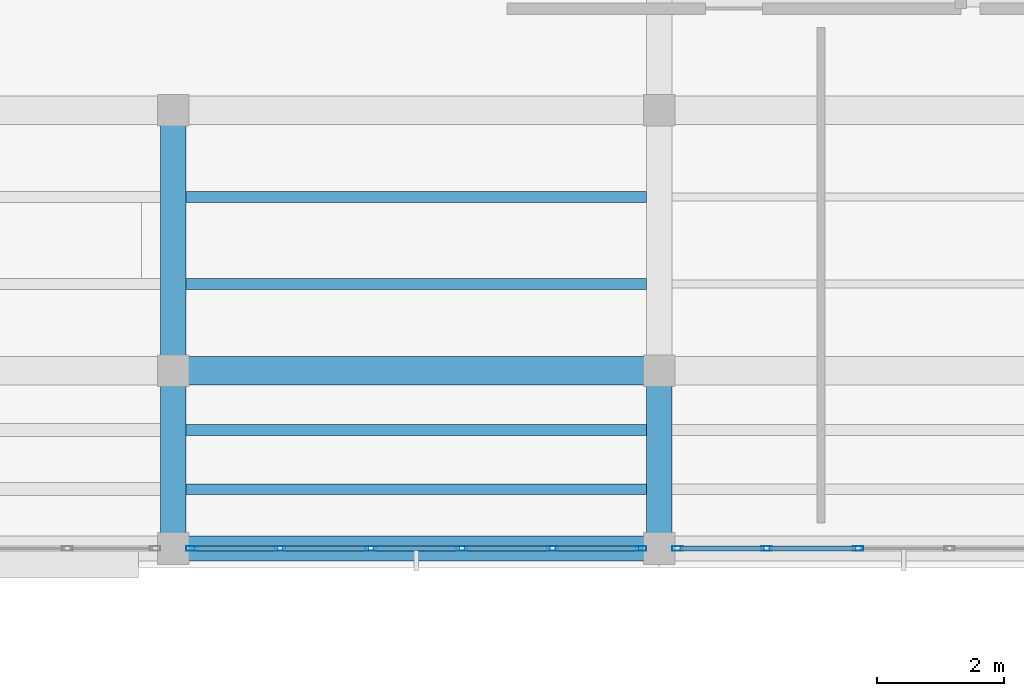
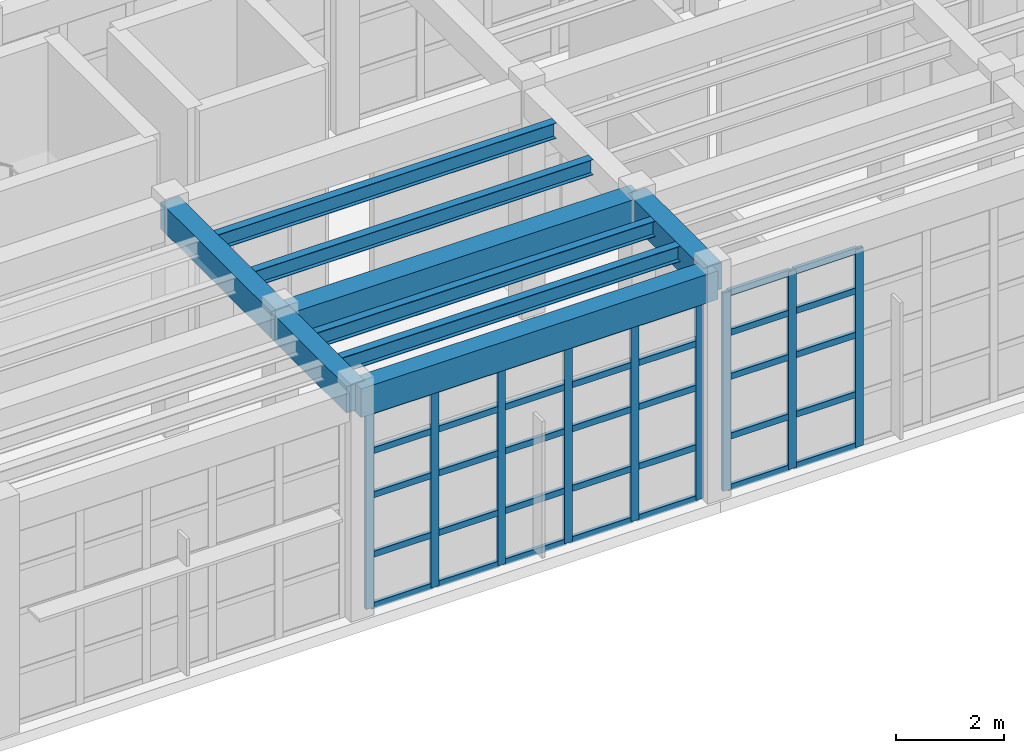
# One storey, part 25 of 103: 44 members, 9 beams, 2 elements without a shape of their own.
"""IFC4 building model written with IfcOpenShell, lengths in metres."""

from ifc_helpers import new_model, si_unit, direction, frame, origin, origin_2d, place, context, subcontext, project, spatial, rectangle, hollow_rectangle, i_section, extrude, material, layer, layer_set, material_profile, profile_set, type_object, element, aggregate, save


model = new_model("IFC4")

# Units and contexts
model_context = context("Model", 3, precision=1e-05, world=origin(), true_north=direction((0.0, 1.0)))
body_context = subcontext(model_context, "Body", "Model", "MODEL_VIEW")
ifc_project = project(units=[si_unit("LENGTHUNIT", "METRE"), si_unit("AREAUNIT", "SQUARE_METRE"), si_unit("VOLUMEUNIT", "CUBIC_METRE"), si_unit("PLANEANGLEUNIT", "RADIAN"), si_unit("MASSUNIT", "GRAM", prefix="KILO")], contexts=[model_context])

# Site, building, storey
site_placement = place(None, origin())
site = spatial("IfcSite", under=ifc_project, at=site_placement, CompositionType="ELEMENT")
building_placement = place(site_placement, origin())
building = spatial("IfcBuilding", under=site, at=building_placement, Name="Candilejo Ridge Gondola Terminal", CompositionType="ELEMENT")
storey_placement = place(building_placement, frame((0.0, 0.0, 9.0)))
storey = spatial("IfcBuildingStorey", under=building, at=storey_placement, Name="L02", CompositionType="ELEMENT", Elevation=9.0)

# Curtain wall, members
ifc_material_1 = material(Name="Anodised aluminium AA 6063-T6", Category="aluminium")
ifc_layer_1 = layer(ifc_material_1, 0.169921875)
ifc_layer_set_1 = layer_set([ifc_layer_1], Name="ARC-CW-CONCOURSE-3600-715X449")
curtain_wall_type_1 = type_object("IfcCurtainWallType", Name="ARC-CW-CONCOURSE-3600-715X449", PredefinedType="NOTDEFINED", material=ifc_layer_set_1)
curtain_wall_1_placement = place(storey_placement, origin())
curtain_wall_1 = element("IfcCurtainWall", 1, at=curtain_wall_1_placement, inside=storey, type_object=curtain_wall_type_1, Name="Curtain wall V3 L02-087", PredefinedType="NOTDEFINED")
ifc_material_2 = material(Name="Anodised aluminium AA 6063-T6", Category="aluminium")
ifc_material_profile_1 = material_profile(ifc_material_2, hollow_rectangle(XDim=0.074951171875, YDim=0.169921875, WallThickness=0.00390625, at=origin_2d()))
ifc_profile_set_1 = profile_set([ifc_material_profile_1], Name="Anodised aluminium AA 6063-T6")
member_type_1 = type_object("IfcMemberType", Name="ARC-CW-MULLION", PredefinedType="MULLION", material=ifc_profile_set_1)
member_1_placement = place(storey_placement, frame((102.487548828125, 22.89990234375, 0.0), z_axis=(0.0, 0.0, 1.0), x_axis=(0.0, 1.0, 0.0)))
member_1 = element("IfcMember", 2, at=member_1_placement, type_object=member_type_1, Name="CW-71X44 mullion 1", PredefinedType="MULLION", context=body_context, shape_type="SweptSolid", body=[
    extrude(hollow_rectangle(XDim=0.074951171875, YDim=0.169921875, WallThickness=0.00390625, at=origin_2d()), origin(), (0.0, 0.0, 1.0), 4.489990234375),
])
member_2_placement = place(storey_placement, frame((103.8798828125, 22.89990234375, 0.0), z_axis=(0.0, 0.0, 1.0), x_axis=(0.0, 1.0, 0.0)))
member_2 = element("IfcMember", 3, at=member_2_placement, type_object=member_type_1, Name="CW-71X44 mullion 2", PredefinedType="MULLION", context=body_context, shape_type="SweptSolid", body=[
    extrude(hollow_rectangle(XDim=0.074951171875, YDim=0.169921875, WallThickness=0.00390625, at=origin_2d()), origin(), (0.0, 0.0, 1.0), 4.489990234375),
])
member_3_placement = place(storey_placement, frame((105.31005859375, 22.89990234375, 0.0), z_axis=(0.0, 0.0, 1.0), x_axis=(0.0, 1.0, 0.0)))
member_3 = element("IfcMember", 4, at=member_3_placement, type_object=member_type_1, Name="CW-71X44 mullion 3", PredefinedType="MULLION", context=body_context, shape_type="SweptSolid", body=[
    extrude(hollow_rectangle(XDim=0.074951171875, YDim=0.169921875, WallThickness=0.00390625, at=origin_2d()), origin(), (0.0, 0.0, 1.0), 4.489990234375),
])
member_4_placement = place(storey_placement, frame((106.739990234375, 22.89990234375, 0.0), z_axis=(0.0, 0.0, 1.0), x_axis=(0.0, 1.0, 0.0)))
member_4 = element("IfcMember", 5, at=member_4_placement, type_object=member_type_1, Name="CW-71X44 mullion 4", PredefinedType="MULLION", context=body_context, shape_type="SweptSolid", body=[
    extrude(hollow_rectangle(XDim=0.074951171875, YDim=0.169921875, WallThickness=0.00390625, at=origin_2d()), origin(), (0.0, 0.0, 1.0), 4.489990234375),
])
member_5_placement = place(storey_placement, frame((108.169921875, 22.89990234375, 0.0), z_axis=(0.0, 0.0, 1.0), x_axis=(0.0, 1.0, 0.0)))
member_5 = element("IfcMember", 6, at=member_5_placement, type_object=member_type_1, Name="CW-71X44 mullion 5", PredefinedType="MULLION", context=body_context, shape_type="SweptSolid", body=[
    extrude(hollow_rectangle(XDim=0.074951171875, YDim=0.169921875, WallThickness=0.00390625, at=origin_2d()), origin(), (0.0, 0.0, 1.0), 4.489990234375),
])
member_6_placement = place(storey_placement, frame((109.5625, 22.89990234375, 0.0), z_axis=(0.0, 0.0, 1.0), x_axis=(0.0, 1.0, 0.0)))
member_6 = element("IfcMember", 7, at=member_6_placement, type_object=member_type_1, Name="CW-71X44 mullion 6", PredefinedType="MULLION", context=body_context, shape_type="SweptSolid", body=[
    extrude(hollow_rectangle(XDim=0.074951171875, YDim=0.169921875, WallThickness=0.00390625, at=origin_2d()), origin(), (0.0, 0.0, 1.0), 4.489990234375),
])

ifc_material_3 = material(Name="Anodised aluminium AA 6063-T6", Category="aluminium")
ifc_layer_2 = layer(ifc_material_3, 0.169921875)
ifc_layer_set_2 = layer_set([ifc_layer_2], Name="ARC-CW-CONCOURSE-3600-720X449")
curtain_wall_type_2 = type_object("IfcCurtainWallType", Name="ARC-CW-CONCOURSE-3600-720X449", PredefinedType="NOTDEFINED", material=ifc_layer_set_2)
curtain_wall_2_placement = place(storey_placement, origin())
curtain_wall_2 = element("IfcCurtainWall", 8, at=curtain_wall_2_placement, inside=storey, type_object=curtain_wall_type_2, Name="Curtain wall V3 L02-089", PredefinedType="NOTDEFINED")
member_7_placement = place(storey_placement, frame((110.137451171875, 22.89990234375, 0.0), z_axis=(0.0, 0.0, 1.0), x_axis=(0.0, 1.0, 0.0)))
member_7 = element("IfcMember", 9, at=member_7_placement, type_object=member_type_1, Name="CW-72X44 mullion 1", PredefinedType="MULLION", context=body_context, shape_type="SweptSolid", body=[
    extrude(hollow_rectangle(XDim=0.074951171875, YDim=0.169921875, WallThickness=0.00390625, at=origin_2d()), origin(), (0.0, 0.0, 1.0), 4.489990234375),
])
member_8_placement = place(storey_placement, frame((111.5400390625, 22.89990234375, 0.0), z_axis=(0.0, 0.0, 1.0), x_axis=(0.0, 1.0, 0.0)))
member_8 = element("IfcMember", 10, at=member_8_placement, type_object=member_type_1, Name="CW-72X44 mullion 2", PredefinedType="MULLION", context=body_context, shape_type="SweptSolid", body=[
    extrude(hollow_rectangle(XDim=0.074951171875, YDim=0.169921875, WallThickness=0.00390625, at=origin_2d()), origin(), (0.0, 0.0, 1.0), 4.489990234375),
])
member_9_placement = place(storey_placement, frame((112.97998046875, 22.89990234375, 0.0), z_axis=(0.0, 0.0, 1.0), x_axis=(0.0, 1.0, 0.0)))
member_9 = element("IfcMember", 11, at=member_9_placement, type_object=member_type_1, Name="CW-72X44 mullion 3", PredefinedType="MULLION", context=body_context, shape_type="SweptSolid", body=[
    extrude(hollow_rectangle(XDim=0.074951171875, YDim=0.169921875, WallThickness=0.00390625, at=origin_2d()), origin(), (0.0, 0.0, 1.0), 4.489990234375),
])

# Member
ifc_material_4 = material(Name="Anodised aluminium AA 6063-T6", Category="aluminium")
ifc_material_profile_2 = material_profile(ifc_material_4, hollow_rectangle(XDim=0.074951171875, YDim=0.139892578125, WallThickness=0.00390625, at=origin_2d()))
ifc_profile_set_2 = profile_set([ifc_material_profile_2], Name="Anodised aluminium AA 6063-T6")
member_type_2 = type_object("IfcMemberType", Name="ARC-CW-TRANSOM", PredefinedType="USERDEFINED", material=ifc_profile_set_2)
member_10_placement = place(storey_placement, frame((102.52490234375, 22.89990234375, 0.03759765625), z_axis=(1.0, 0.0, 0.0), x_axis=(0.0, 1.0, 0.0)))
member_10 = element("IfcMember", 12, at=member_10_placement, type_object=member_type_2, Name="CW-71X44 transom 1.1", ObjectType="TRANSOM", PredefinedType="USERDEFINED", context=body_context, shape_type="SweptSolid", body=[
    extrude(hollow_rectangle(XDim=0.074951171875, YDim=0.139892578125, WallThickness=0.00390625, at=origin_2d()), origin(), (0.0, 0.0, 1.0), 1.317626953125),
])

member_11_placement = place(storey_placement, frame((102.52490234375, 22.89990234375, 1.199951171875), z_axis=(1.0, 0.0, 0.0), x_axis=(0.0, 1.0, 0.0)))
member_11 = element("IfcMember", 13, at=member_11_placement, type_object=member_type_2, Name="CW-71X44 transom 1.2", ObjectType="TRANSOM", PredefinedType="USERDEFINED", context=body_context, shape_type="SweptSolid", body=[
    extrude(hollow_rectangle(XDim=0.074951171875, YDim=0.139892578125, WallThickness=0.00390625, at=origin_2d()), origin(), (0.0, 0.0, 1.0), 1.317626953125),
])

member_12_placement = place(storey_placement, frame((102.52490234375, 22.89990234375, 2.550048828125), z_axis=(1.0, 0.0, 0.0), x_axis=(0.0, 1.0, 0.0)))
member_12 = element("IfcMember", 14, at=member_12_placement, type_object=member_type_2, Name="CW-71X44 transom 1.3", ObjectType="TRANSOM", PredefinedType="USERDEFINED", context=body_context, shape_type="SweptSolid", body=[
    extrude(hollow_rectangle(XDim=0.074951171875, YDim=0.139892578125, WallThickness=0.00390625, at=origin_2d()), origin(), (0.0, 0.0, 1.0), 1.317626953125),
])

member_13_placement = place(storey_placement, frame((102.52490234375, 22.89990234375, 3.550048828125), z_axis=(1.0, 0.0, 0.0), x_axis=(0.0, 1.0, 0.0)))
member_13 = element("IfcMember", 15, at=member_13_placement, type_object=member_type_2, Name="CW-71X44 transom 1.4", ObjectType="TRANSOM", PredefinedType="USERDEFINED", context=body_context, shape_type="SweptSolid", body=[
    extrude(hollow_rectangle(XDim=0.074951171875, YDim=0.139892578125, WallThickness=0.00390625, at=origin_2d()), origin(), (0.0, 0.0, 1.0), 1.317626953125),
])

member_14_placement = place(storey_placement, frame((102.52490234375, 22.89990234375, 4.452392578125), z_axis=(1.0, 0.0, 0.0), x_axis=(0.0, 1.0, 0.0)))
member_14 = element("IfcMember", 16, at=member_14_placement, type_object=member_type_2, Name="CW-71X44 transom 1.5", ObjectType="TRANSOM", PredefinedType="USERDEFINED", context=body_context, shape_type="SweptSolid", body=[
    extrude(hollow_rectangle(XDim=0.074951171875, YDim=0.139892578125, WallThickness=0.00390625, at=origin_2d()), origin(), (0.0, 0.0, 1.0), 1.317626953125),
])

member_15_placement = place(storey_placement, frame((103.91748046875, 22.89990234375, 0.03759765625), z_axis=(1.0, 0.0, 0.0), x_axis=(0.0, 1.0, 0.0)))
member_15 = element("IfcMember", 17, at=member_15_placement, type_object=member_type_2, Name="CW-71X44 transom 2.1", ObjectType="TRANSOM", PredefinedType="USERDEFINED", context=body_context, shape_type="SweptSolid", body=[
    extrude(hollow_rectangle(XDim=0.074951171875, YDim=0.139892578125, WallThickness=0.00390625, at=origin_2d()), origin(), (0.0, 0.0, 1.0), 1.35498046875),
])

member_16_placement = place(storey_placement, frame((103.91748046875, 22.89990234375, 1.199951171875), z_axis=(1.0, 0.0, 0.0), x_axis=(0.0, 1.0, 0.0)))
member_16 = element("IfcMember", 18, at=member_16_placement, type_object=member_type_2, Name="CW-71X44 transom 2.2", ObjectType="TRANSOM", PredefinedType="USERDEFINED", context=body_context, shape_type="SweptSolid", body=[
    extrude(hollow_rectangle(XDim=0.074951171875, YDim=0.139892578125, WallThickness=0.00390625, at=origin_2d()), origin(), (0.0, 0.0, 1.0), 1.35498046875),
])

member_17_placement = place(storey_placement, frame((103.91748046875, 22.89990234375, 2.550048828125), z_axis=(1.0, 0.0, 0.0), x_axis=(0.0, 1.0, 0.0)))
member_17 = element("IfcMember", 19, at=member_17_placement, type_object=member_type_2, Name="CW-71X44 transom 2.3", ObjectType="TRANSOM", PredefinedType="USERDEFINED", context=body_context, shape_type="SweptSolid", body=[
    extrude(hollow_rectangle(XDim=0.074951171875, YDim=0.139892578125, WallThickness=0.00390625, at=origin_2d()), origin(), (0.0, 0.0, 1.0), 1.35498046875),
])

member_18_placement = place(storey_placement, frame((103.91748046875, 22.89990234375, 3.550048828125), z_axis=(1.0, 0.0, 0.0), x_axis=(0.0, 1.0, 0.0)))
member_18 = element("IfcMember", 20, at=member_18_placement, type_object=member_type_2, Name="CW-71X44 transom 2.4", ObjectType="TRANSOM", PredefinedType="USERDEFINED", context=body_context, shape_type="SweptSolid", body=[
    extrude(hollow_rectangle(XDim=0.074951171875, YDim=0.139892578125, WallThickness=0.00390625, at=origin_2d()), origin(), (0.0, 0.0, 1.0), 1.35498046875),
])

member_19_placement = place(storey_placement, frame((103.91748046875, 22.89990234375, 4.452392578125), z_axis=(1.0, 0.0, 0.0), x_axis=(0.0, 1.0, 0.0)))
member_19 = element("IfcMember", 21, at=member_19_placement, type_object=member_type_2, Name="CW-71X44 transom 2.5", ObjectType="TRANSOM", PredefinedType="USERDEFINED", context=body_context, shape_type="SweptSolid", body=[
    extrude(hollow_rectangle(XDim=0.074951171875, YDim=0.139892578125, WallThickness=0.00390625, at=origin_2d()), origin(), (0.0, 0.0, 1.0), 1.35498046875),
])

member_20_placement = place(storey_placement, frame((105.347412109375, 22.89990234375, 0.03759765625), z_axis=(1.0, 0.0, 0.0), x_axis=(0.0, 1.0, 0.0)))
member_20 = element("IfcMember", 22, at=member_20_placement, type_object=member_type_2, Name="CW-71X44 transom 3.1", ObjectType="TRANSOM", PredefinedType="USERDEFINED", context=body_context, shape_type="SweptSolid", body=[
    extrude(hollow_rectangle(XDim=0.074951171875, YDim=0.139892578125, WallThickness=0.00390625, at=origin_2d()), origin(), (0.0, 0.0, 1.0), 1.35498046875),
])

member_21_placement = place(storey_placement, frame((105.347412109375, 22.89990234375, 1.199951171875), z_axis=(1.0, 0.0, 0.0), x_axis=(0.0, 1.0, 0.0)))
member_21 = element("IfcMember", 23, at=member_21_placement, type_object=member_type_2, Name="CW-71X44 transom 3.2", ObjectType="TRANSOM", PredefinedType="USERDEFINED", context=body_context, shape_type="SweptSolid", body=[
    extrude(hollow_rectangle(XDim=0.074951171875, YDim=0.139892578125, WallThickness=0.00390625, at=origin_2d()), origin(), (0.0, 0.0, 1.0), 1.35498046875),
])

member_22_placement = place(storey_placement, frame((105.347412109375, 22.89990234375, 2.550048828125), z_axis=(1.0, 0.0, 0.0), x_axis=(0.0, 1.0, 0.0)))
member_22 = element("IfcMember", 24, at=member_22_placement, type_object=member_type_2, Name="CW-71X44 transom 3.3", ObjectType="TRANSOM", PredefinedType="USERDEFINED", context=body_context, shape_type="SweptSolid", body=[
    extrude(hollow_rectangle(XDim=0.074951171875, YDim=0.139892578125, WallThickness=0.00390625, at=origin_2d()), origin(), (0.0, 0.0, 1.0), 1.35498046875),
])

member_23_placement = place(storey_placement, frame((105.347412109375, 22.89990234375, 3.550048828125), z_axis=(1.0, 0.0, 0.0), x_axis=(0.0, 1.0, 0.0)))
member_23 = element("IfcMember", 25, at=member_23_placement, type_object=member_type_2, Name="CW-71X44 transom 3.4", ObjectType="TRANSOM", PredefinedType="USERDEFINED", context=body_context, shape_type="SweptSolid", body=[
    extrude(hollow_rectangle(XDim=0.074951171875, YDim=0.139892578125, WallThickness=0.00390625, at=origin_2d()), origin(), (0.0, 0.0, 1.0), 1.35498046875),
])

member_24_placement = place(storey_placement, frame((105.347412109375, 22.89990234375, 4.452392578125), z_axis=(1.0, 0.0, 0.0), x_axis=(0.0, 1.0, 0.0)))
member_24 = element("IfcMember", 26, at=member_24_placement, type_object=member_type_2, Name="CW-71X44 transom 3.5", ObjectType="TRANSOM", PredefinedType="USERDEFINED", context=body_context, shape_type="SweptSolid", body=[
    extrude(hollow_rectangle(XDim=0.074951171875, YDim=0.139892578125, WallThickness=0.00390625, at=origin_2d()), origin(), (0.0, 0.0, 1.0), 1.35498046875),
])

member_25_placement = place(storey_placement, frame((106.777587890625, 22.89990234375, 0.03759765625), z_axis=(1.0, 0.0, 0.0), x_axis=(0.0, 1.0, 0.0)))
member_25 = element("IfcMember", 27, at=member_25_placement, type_object=member_type_2, Name="CW-71X44 transom 4.1", ObjectType="TRANSOM", PredefinedType="USERDEFINED", context=body_context, shape_type="SweptSolid", body=[
    extrude(hollow_rectangle(XDim=0.074951171875, YDim=0.139892578125, WallThickness=0.00390625, at=origin_2d()), origin(), (0.0, 0.0, 1.0), 1.35498046875),
])

member_26_placement = place(storey_placement, frame((106.777587890625, 22.89990234375, 1.199951171875), z_axis=(1.0, 0.0, 0.0), x_axis=(0.0, 1.0, 0.0)))
member_26 = element("IfcMember", 28, at=member_26_placement, type_object=member_type_2, Name="CW-71X44 transom 4.2", ObjectType="TRANSOM", PredefinedType="USERDEFINED", context=body_context, shape_type="SweptSolid", body=[
    extrude(hollow_rectangle(XDim=0.074951171875, YDim=0.139892578125, WallThickness=0.00390625, at=origin_2d()), origin(), (0.0, 0.0, 1.0), 1.35498046875),
])

member_27_placement = place(storey_placement, frame((106.777587890625, 22.89990234375, 2.550048828125), z_axis=(1.0, 0.0, 0.0), x_axis=(0.0, 1.0, 0.0)))
member_27 = element("IfcMember", 29, at=member_27_placement, type_object=member_type_2, Name="CW-71X44 transom 4.3", ObjectType="TRANSOM", PredefinedType="USERDEFINED", context=body_context, shape_type="SweptSolid", body=[
    extrude(hollow_rectangle(XDim=0.074951171875, YDim=0.139892578125, WallThickness=0.00390625, at=origin_2d()), origin(), (0.0, 0.0, 1.0), 1.35498046875),
])

member_28_placement = place(storey_placement, frame((106.777587890625, 22.89990234375, 3.550048828125), z_axis=(1.0, 0.0, 0.0), x_axis=(0.0, 1.0, 0.0)))
member_28 = element("IfcMember", 30, at=member_28_placement, type_object=member_type_2, Name="CW-71X44 transom 4.4", ObjectType="TRANSOM", PredefinedType="USERDEFINED", context=body_context, shape_type="SweptSolid", body=[
    extrude(hollow_rectangle(XDim=0.074951171875, YDim=0.139892578125, WallThickness=0.00390625, at=origin_2d()), origin(), (0.0, 0.0, 1.0), 1.35498046875),
])

member_29_placement = place(storey_placement, frame((106.777587890625, 22.89990234375, 4.452392578125), z_axis=(1.0, 0.0, 0.0), x_axis=(0.0, 1.0, 0.0)))
member_29 = element("IfcMember", 31, at=member_29_placement, type_object=member_type_2, Name="CW-71X44 transom 4.5", ObjectType="TRANSOM", PredefinedType="USERDEFINED", context=body_context, shape_type="SweptSolid", body=[
    extrude(hollow_rectangle(XDim=0.074951171875, YDim=0.139892578125, WallThickness=0.00390625, at=origin_2d()), origin(), (0.0, 0.0, 1.0), 1.35498046875),
])

member_30_placement = place(storey_placement, frame((108.20751953125, 22.89990234375, 0.03759765625), z_axis=(1.0, 0.0, 0.0), x_axis=(0.0, 1.0, 0.0)))
member_30 = element("IfcMember", 32, at=member_30_placement, type_object=member_type_2, Name="CW-71X44 transom 5.1", ObjectType="TRANSOM", PredefinedType="USERDEFINED", context=body_context, shape_type="SweptSolid", body=[
    extrude(hollow_rectangle(XDim=0.074951171875, YDim=0.139892578125, WallThickness=0.00390625, at=origin_2d()), origin(), (0.0, 0.0, 1.0), 1.3173828125),
])

member_31_placement = place(storey_placement, frame((108.20751953125, 22.89990234375, 1.199951171875), z_axis=(1.0, 0.0, 0.0), x_axis=(0.0, 1.0, 0.0)))
member_31 = element("IfcMember", 33, at=member_31_placement, type_object=member_type_2, Name="CW-71X44 transom 5.2", ObjectType="TRANSOM", PredefinedType="USERDEFINED", context=body_context, shape_type="SweptSolid", body=[
    extrude(hollow_rectangle(XDim=0.074951171875, YDim=0.139892578125, WallThickness=0.00390625, at=origin_2d()), origin(), (0.0, 0.0, 1.0), 1.3173828125),
])

member_32_placement = place(storey_placement, frame((108.20751953125, 22.89990234375, 2.550048828125), z_axis=(1.0, 0.0, 0.0), x_axis=(0.0, 1.0, 0.0)))
member_32 = element("IfcMember", 34, at=member_32_placement, type_object=member_type_2, Name="CW-71X44 transom 5.3", ObjectType="TRANSOM", PredefinedType="USERDEFINED", context=body_context, shape_type="SweptSolid", body=[
    extrude(hollow_rectangle(XDim=0.074951171875, YDim=0.139892578125, WallThickness=0.00390625, at=origin_2d()), origin(), (0.0, 0.0, 1.0), 1.3173828125),
])

member_33_placement = place(storey_placement, frame((108.20751953125, 22.89990234375, 3.550048828125), z_axis=(1.0, 0.0, 0.0), x_axis=(0.0, 1.0, 0.0)))
member_33 = element("IfcMember", 35, at=member_33_placement, type_object=member_type_2, Name="CW-71X44 transom 5.4", ObjectType="TRANSOM", PredefinedType="USERDEFINED", context=body_context, shape_type="SweptSolid", body=[
    extrude(hollow_rectangle(XDim=0.074951171875, YDim=0.139892578125, WallThickness=0.00390625, at=origin_2d()), origin(), (0.0, 0.0, 1.0), 1.3173828125),
])

member_34_placement = place(storey_placement, frame((108.20751953125, 22.89990234375, 4.452392578125), z_axis=(1.0, 0.0, 0.0), x_axis=(0.0, 1.0, 0.0)))
member_34 = element("IfcMember", 36, at=member_34_placement, type_object=member_type_2, Name="CW-71X44 transom 5.5", ObjectType="TRANSOM", PredefinedType="USERDEFINED", context=body_context, shape_type="SweptSolid", body=[
    extrude(hollow_rectangle(XDim=0.074951171875, YDim=0.139892578125, WallThickness=0.00390625, at=origin_2d()), origin(), (0.0, 0.0, 1.0), 1.3173828125),
])

aggregate(curtain_wall_1, [member_1, member_2, member_3, member_4, member_5, member_6, member_10, member_11, member_12, member_13, member_14, member_15, member_16, member_17, member_18, member_19, member_20, member_21, member_22, member_23, member_24, member_25, member_26, member_27, member_28, member_29, member_30, member_31, member_32, member_33, member_34])

member_35_placement = place(storey_placement, frame((110.175048828125, 22.89990234375, 0.03759765625), z_axis=(1.0, 0.0, 0.0), x_axis=(0.0, 1.0, 0.0)))
member_35 = element("IfcMember", 37, at=member_35_placement, type_object=member_type_2, Name="CW-72X44 transom 1.1", ObjectType="TRANSOM", PredefinedType="USERDEFINED", context=body_context, shape_type="SweptSolid", body=[
    extrude(hollow_rectangle(XDim=0.074951171875, YDim=0.139892578125, WallThickness=0.00390625, at=origin_2d()), origin(), (0.0, 0.0, 1.0), 1.327392578125),
])

member_36_placement = place(storey_placement, frame((110.175048828125, 22.89990234375, 1.199951171875), z_axis=(1.0, 0.0, 0.0), x_axis=(0.0, 1.0, 0.0)))
member_36 = element("IfcMember", 38, at=member_36_placement, type_object=member_type_2, Name="CW-72X44 transom 1.2", ObjectType="TRANSOM", PredefinedType="USERDEFINED", context=body_context, shape_type="SweptSolid", body=[
    extrude(hollow_rectangle(XDim=0.074951171875, YDim=0.139892578125, WallThickness=0.00390625, at=origin_2d()), origin(), (0.0, 0.0, 1.0), 1.327392578125),
])

member_37_placement = place(storey_placement, frame((110.175048828125, 22.89990234375, 2.550048828125), z_axis=(1.0, 0.0, 0.0), x_axis=(0.0, 1.0, 0.0)))
member_37 = element("IfcMember", 39, at=member_37_placement, type_object=member_type_2, Name="CW-72X44 transom 1.3", ObjectType="TRANSOM", PredefinedType="USERDEFINED", context=body_context, shape_type="SweptSolid", body=[
    extrude(hollow_rectangle(XDim=0.074951171875, YDim=0.139892578125, WallThickness=0.00390625, at=origin_2d()), origin(), (0.0, 0.0, 1.0), 1.327392578125),
])

member_38_placement = place(storey_placement, frame((110.175048828125, 22.89990234375, 3.550048828125), z_axis=(1.0, 0.0, 0.0), x_axis=(0.0, 1.0, 0.0)))
member_38 = element("IfcMember", 40, at=member_38_placement, type_object=member_type_2, Name="CW-72X44 transom 1.4", ObjectType="TRANSOM", PredefinedType="USERDEFINED", context=body_context, shape_type="SweptSolid", body=[
    extrude(hollow_rectangle(XDim=0.074951171875, YDim=0.139892578125, WallThickness=0.00390625, at=origin_2d()), origin(), (0.0, 0.0, 1.0), 1.327392578125),
])

member_39_placement = place(storey_placement, frame((110.175048828125, 22.89990234375, 4.452392578125), z_axis=(1.0, 0.0, 0.0), x_axis=(0.0, 1.0, 0.0)))
member_39 = element("IfcMember", 41, at=member_39_placement, type_object=member_type_2, Name="CW-72X44 transom 1.5", ObjectType="TRANSOM", PredefinedType="USERDEFINED", context=body_context, shape_type="SweptSolid", body=[
    extrude(hollow_rectangle(XDim=0.074951171875, YDim=0.139892578125, WallThickness=0.00390625, at=origin_2d()), origin(), (0.0, 0.0, 1.0), 1.327392578125),
])

member_40_placement = place(storey_placement, frame((111.577392578125, 22.89990234375, 0.03759765625), z_axis=(1.0, 0.0, 0.0), x_axis=(0.0, 1.0, 0.0)))
member_40 = element("IfcMember", 42, at=member_40_placement, type_object=member_type_2, Name="CW-72X44 transom 2.1", ObjectType="TRANSOM", PredefinedType="USERDEFINED", context=body_context, shape_type="SweptSolid", body=[
    extrude(hollow_rectangle(XDim=0.074951171875, YDim=0.139892578125, WallThickness=0.00390625, at=origin_2d()), origin(), (0.0, 0.0, 1.0), 1.364990234375),
])

member_41_placement = place(storey_placement, frame((111.577392578125, 22.89990234375, 1.199951171875), z_axis=(1.0, 0.0, 0.0), x_axis=(0.0, 1.0, 0.0)))
member_41 = element("IfcMember", 43, at=member_41_placement, type_object=member_type_2, Name="CW-72X44 transom 2.2", ObjectType="TRANSOM", PredefinedType="USERDEFINED", context=body_context, shape_type="SweptSolid", body=[
    extrude(hollow_rectangle(XDim=0.074951171875, YDim=0.139892578125, WallThickness=0.00390625, at=origin_2d()), origin(), (0.0, 0.0, 1.0), 1.364990234375),
])

member_42_placement = place(storey_placement, frame((111.577392578125, 22.89990234375, 2.550048828125), z_axis=(1.0, 0.0, 0.0), x_axis=(0.0, 1.0, 0.0)))
member_42 = element("IfcMember", 44, at=member_42_placement, type_object=member_type_2, Name="CW-72X44 transom 2.3", ObjectType="TRANSOM", PredefinedType="USERDEFINED", context=body_context, shape_type="SweptSolid", body=[
    extrude(hollow_rectangle(XDim=0.074951171875, YDim=0.139892578125, WallThickness=0.00390625, at=origin_2d()), origin(), (0.0, 0.0, 1.0), 1.364990234375),
])

member_43_placement = place(storey_placement, frame((111.577392578125, 22.89990234375, 3.550048828125), z_axis=(1.0, 0.0, 0.0), x_axis=(0.0, 1.0, 0.0)))
member_43 = element("IfcMember", 45, at=member_43_placement, type_object=member_type_2, Name="CW-72X44 transom 2.4", ObjectType="TRANSOM", PredefinedType="USERDEFINED", context=body_context, shape_type="SweptSolid", body=[
    extrude(hollow_rectangle(XDim=0.074951171875, YDim=0.139892578125, WallThickness=0.00390625, at=origin_2d()), origin(), (0.0, 0.0, 1.0), 1.364990234375),
])

member_44_placement = place(storey_placement, frame((111.577392578125, 22.89990234375, 4.452392578125), z_axis=(1.0, 0.0, 0.0), x_axis=(0.0, 1.0, 0.0)))
member_44 = element("IfcMember", 46, at=member_44_placement, type_object=member_type_2, Name="CW-72X44 transom 2.5", ObjectType="TRANSOM", PredefinedType="USERDEFINED", context=body_context, shape_type="SweptSolid", body=[
    extrude(hollow_rectangle(XDim=0.074951171875, YDim=0.139892578125, WallThickness=0.00390625, at=origin_2d()), origin(), (0.0, 0.0, 1.0), 1.364990234375),
])

aggregate(curtain_wall_2, [member_7, member_8, member_9, member_35, member_36, member_37, member_38, member_39, member_40, member_41, member_42, member_43, member_44])

# Beams
ifc_material_5 = material(Name="Concrete f'c 35 MPa (C35/45)", Category="concrete")
ifc_material_profile_3 = material_profile(ifc_material_5, rectangle(XDim=0.39990234375, YDim=0.60009765625, at=origin_2d()))
ifc_profile_set_3 = profile_set([ifc_material_profile_3], Name="Concrete f'c 35 MPa (C35/45)")
beam_type_1 = type_object("IfcBeamType", Name="STR-BM-RC400X600", PredefinedType="BEAM", material=ifc_profile_set_3)
beam_1_placement = place(storey_placement, frame((102.199951171875, 22.89990234375, 4.875), z_axis=(0.0, 1.0, 0.0), x_axis=(-1.0, 0.0, 0.0)))
element("IfcBeam", 47, at=beam_1_placement, inside=storey, type_object=beam_type_1, Name="Beam Y V3 L02 Y04-Y05@X16", PredefinedType="BEAM", context=body_context, shape_type="SweptSolid", body=[
    extrude(rectangle(XDim=0.39990234375, YDim=0.60009765625, at=origin_2d()), origin(), (0.0, 0.0, 1.0), 2.800048828125),
])
beam_2_placement = place(storey_placement, frame((102.199951171875, 25.699951171875, 4.875), z_axis=(0.0, 1.0, 0.0), x_axis=(-1.0, 0.0, 0.0)))
element("IfcBeam", 48, at=beam_2_placement, inside=storey, type_object=beam_type_1, Name="Beam Y V3 L02 Y05-Y06@X16", PredefinedType="BEAM", context=body_context, shape_type="SweptSolid", body=[
    extrude(rectangle(XDim=0.39990234375, YDim=0.60009765625, at=origin_2d()), origin(), (0.0, 0.0, 1.0), 4.10009765625),
])
beam_3_placement = place(storey_placement, frame((109.85009765625, 22.89990234375, 4.875), z_axis=(0.0, 1.0, 0.0), x_axis=(-1.0, 0.0, 0.0)))
element("IfcBeam", 49, at=beam_3_placement, inside=storey, type_object=beam_type_1, Name="Beam Y V3 L02 Y04-Y05@X17", PredefinedType="BEAM", context=body_context, shape_type="SweptSolid", body=[
    extrude(rectangle(XDim=0.39990234375, YDim=0.60009765625, at=origin_2d()), origin(), (0.0, 0.0, 1.0), 2.800048828125),
])
ifc_material_6 = material(Name="Concrete f'c 35 MPa (C35/45)", Category="concrete")
ifc_material_profile_4 = material_profile(ifc_material_6, rectangle(XDim=0.449951171875, YDim=0.75, at=origin_2d()))
ifc_profile_set_4 = profile_set([ifc_material_profile_4], Name="Concrete f'c 35 MPa (C35/45)")
beam_type_2 = type_object("IfcBeamType", Name="STR-BM-RC450X750", PredefinedType="BEAM", material=ifc_profile_set_4)
beam_4_placement = place(storey_placement, frame((102.199951171875, 25.699951171875, 4.800048828125), z_axis=(1.0, 0.0, 0.0), x_axis=(0.0, 1.0, 0.0)))
element("IfcBeam", 50, at=beam_4_placement, inside=storey, type_object=beam_type_2, Name="Beam X V3 L02 X16-X17@Y05", PredefinedType="BEAM", context=body_context, shape_type="SweptSolid", body=[
    extrude(rectangle(XDim=0.449951171875, YDim=0.75, at=origin_2d()), origin(), (0.0, 0.0, 1.0), 7.650146484375),
])
ifc_material_7 = material(Name="Steel ASTM A992 Grade 50", Category="steel")
ifc_material_profile_5 = material_profile(ifc_material_7, i_section(OverallWidth=0.1708984375, OverallDepth=0.35205078125, WebThickness=0.0068359375, FlangeThickness=0.009765625, at=origin_2d()))
ifc_profile_set_5 = profile_set([ifc_material_profile_5], Name="Steel ASTM A992 Grade 50")
beam_type_3 = type_object("IfcBeamType", Name="STR-JST-W360X44", PredefinedType="JOIST", material=ifc_profile_set_5)
for number, where, z_axis, x_axis, name in (
    (51, (102.39990234375, 27.066650390625, 4.9990234375), (1.0, 0.0, 0.0), (0.0, 1.0, 0.0), "Composite joist V3 L02-0565"),
    (52, (102.39990234375, 28.433349609375, 4.9990234375), (1.0, 0.0, 0.0), (0.0, 1.0, 0.0), "Composite joist V3 L02-0566"),
):
    element("IfcBeam", number, at=place(storey_placement, frame(where, z_axis=z_axis, x_axis=x_axis)), inside=storey, type_object=beam_type_3, Name=name, PredefinedType="JOIST", context=body_context, shape_type="SweptSolid", body=[
        extrude(i_section(OverallWidth=0.1708984375, OverallDepth=0.35205078125, WebThickness=0.0068359375, FlangeThickness=0.009765625, at=origin_2d()), origin(), (0.0, 0.0, 1.0), 7.25),
    ])
ifc_material_8 = material(Name="Steel ASTM A992 Grade 50", Category="steel")
ifc_material_profile_6 = material_profile(ifc_material_8, i_section(OverallWidth=0.1708984375, OverallDepth=0.35498046875, WebThickness=0.007080078125, FlangeThickness=0.01171875, at=origin_2d()))
ifc_profile_set_6 = profile_set([ifc_material_profile_6], Name="Steel ASTM A992 Grade 50")
beam_type_4 = type_object("IfcBeamType", Name="STR-JST-W360X51", PredefinedType="JOIST", material=ifc_profile_set_6)
for number, where, z_axis, x_axis, name in (
    (53, (102.39990234375, 23.833251953125, 4.99755859375), (1.0, 0.0, 0.0), (0.0, 1.0, 0.0), "Composite joist V3 L02-0563"),
    (54, (102.39990234375, 24.7666015625, 4.99755859375), (1.0, 0.0, 0.0), (0.0, 1.0, 0.0), "Composite joist V3 L02-0564"),
):
    element("IfcBeam", number, at=place(storey_placement, frame(where, z_axis=z_axis, x_axis=x_axis)), inside=storey, type_object=beam_type_4, Name=name, PredefinedType="JOIST", context=body_context, shape_type="SweptSolid", body=[
        extrude(i_section(OverallWidth=0.1708984375, OverallDepth=0.35498046875, WebThickness=0.007080078125, FlangeThickness=0.01171875, at=origin_2d()), origin(), (0.0, 0.0, 1.0), 7.25),
    ])
ifc_material_9 = material(Name="Concrete f'c 35 MPa (C35/45)", Category="concrete")
ifc_material_profile_7 = material_profile(ifc_material_9, rectangle(XDim=0.39990234375, YDim=0.64990234375, at=origin_2d()))
ifc_profile_set_7 = profile_set([ifc_material_profile_7], Name="Concrete f'c 35 MPa (C35/45)")
beam_type_5 = type_object("IfcBeamType", Name="STR-SPN-RC400X650", PredefinedType="SPANDREL", material=ifc_profile_set_7)
beam_5_placement = place(storey_placement, frame((102.199951171875, 22.89990234375, 4.85009765625), z_axis=(1.0, 0.0, 0.0), x_axis=(0.0, 1.0, 0.0)))
element("IfcBeam", 55, at=beam_5_placement, inside=storey, type_object=beam_type_5, Name="Beam X V3 L02 X16-X17@Y04", PredefinedType="SPANDREL", context=body_context, shape_type="SweptSolid", body=[
    extrude(rectangle(XDim=0.39990234375, YDim=0.64990234375, at=origin_2d()), origin(), (0.0, 0.0, 1.0), 7.650146484375),
])

save(model, "model.ifc")
